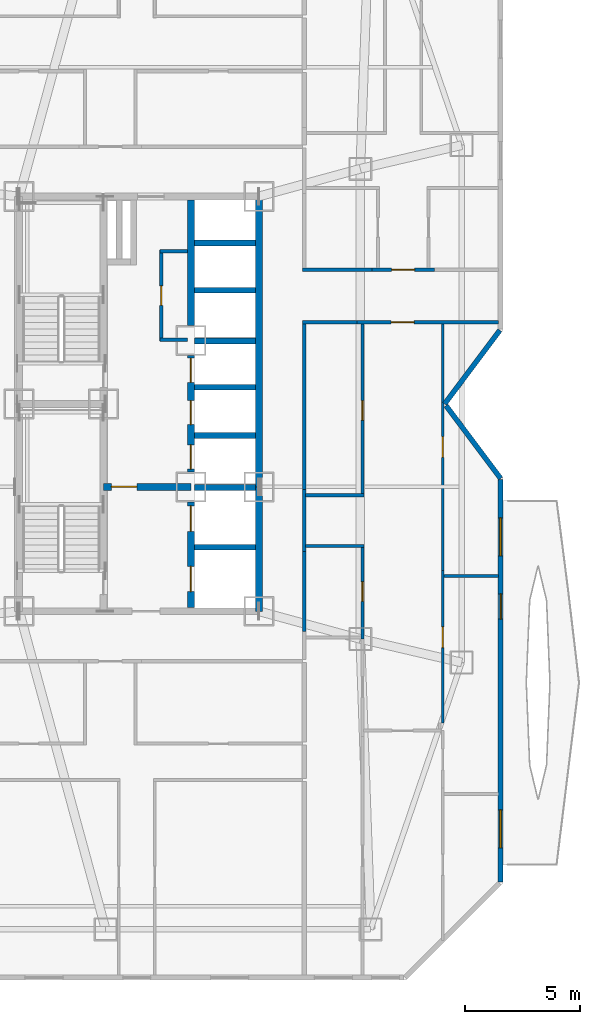
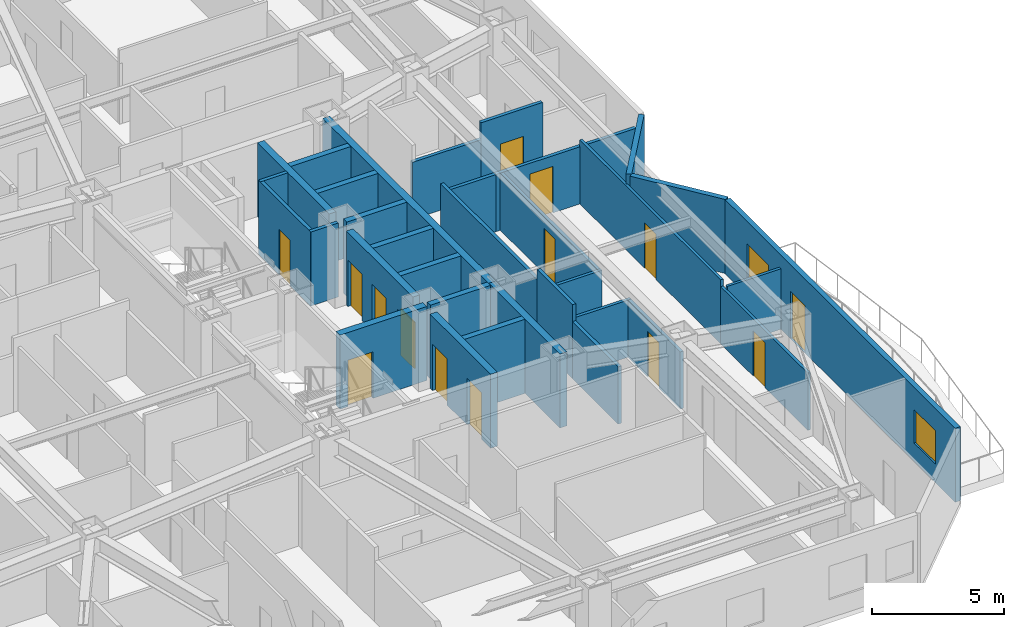
# One storey, part 11 of 16: 33 walls, 14 doors, 2 windows, 16 openings.
"""IFC4 building model written with IfcOpenShell, lengths in metres."""

from ifc_helpers import new_model, si_unit, direction, frame, frame_2d, origin, place, context, subcontext, project, spatial, rectangle, extrude, material, layer, layer_set, type_object, element, fill, save


model = new_model("IFC4")

# Units and contexts
model_context = context("Model", 3, precision=1e-05, world=origin(), true_north=direction((0.0, 1.0)))
body_context = subcontext(model_context, "Body", "Model", "MODEL_VIEW")
ifc_project = project(units=[si_unit("LENGTHUNIT", "METRE"), si_unit("AREAUNIT", "SQUARE_METRE"), si_unit("VOLUMEUNIT", "CUBIC_METRE"), si_unit("PLANEANGLEUNIT", "RADIAN"), si_unit("MASSUNIT", "GRAM", prefix="KILO")], contexts=[model_context])

# Site, building, storey
site_placement = place(None, origin())
site = spatial("IfcSite", under=ifc_project, at=site_placement, CompositionType="ELEMENT")
building_placement = place(site_placement, origin())
building = spatial("IfcBuilding", under=site, at=building_placement, Name="Khamvora Tower", CompositionType="ELEMENT")
storey_placement = place(building_placement, frame((0.0, 0.0, 77.10009765625)))
storey = spatial("IfcBuildingStorey", under=building, at=storey_placement, Name="L19", CompositionType="ELEMENT", Elevation=77.10009765625)

# Walls
ifc_material_1 = material(Name="Concrete C50/60", Category="concrete")
ifc_layer_1 = layer(ifc_material_1, 0.300048828125)
ifc_layer_set_1 = layer_set([ifc_layer_1], Name="Concrete C50/60")
wall_type_1 = type_object("IfcWallType", Name="WAL-CORE-300", PredefinedType="SHEAR", material=ifc_layer_set_1)
wall_1_placement = place(storey_placement, frame((39.39990234375, 19.0, 0.0), z_axis=(0.0, 0.0, 1.0), x_axis=(0.0, 1.0, 0.0)))
element("IfcWall", 1, at=wall_1_placement, inside=storey, type_object=wall_type_1, Name="L19 central core east south wall", PredefinedType="SHEAR", context=body_context, shape_type="SweptSolid", body=[
    extrude(rectangle(XDim=5.39990234375, YDim=0.300048828125, at=frame_2d((2.699951171875, 0.0))), origin(), (0.0, 0.0, 1.0), 3.429931640625),
])
wall_2_placement = place(storey_placement, frame((39.39990234375, 24.39990234375, 0.0), z_axis=(0.0, 0.0, 1.0), x_axis=(0.0, 1.0, 0.0)))
element("IfcWall", 2, at=wall_2_placement, inside=storey, type_object=wall_type_1, Name="L19 central core east north wall", PredefinedType="SHEAR", context=body_context, shape_type="SweptSolid", body=[
    extrude(rectangle(XDim=12.60009765625, YDim=0.300048828125, at=frame_2d((6.300048828125, 0.0))), origin(), (0.0, 0.0, 1.0), 3.429931640625),
])

# Wall, opening, door
wall_3_placement = place(storey_placement, frame((32.64990234375, 24.39990234375, 0.0), z_axis=(0.0, 0.0, 1.0), x_axis=(1.0, 0.0, 0.0)))
wall_3 = element("IfcWall", 3, at=wall_3_placement, inside=storey, type_object=wall_type_1, Name="L19 central core firefighting lobby north wall", PredefinedType="SHEAR", context=body_context, shape_type="SweptSolid", body=[
    extrude(rectangle(XDim=3.800048828125, YDim=0.300048828125, at=frame_2d((1.89990234375, 0.0))), origin(), (0.0, 0.0, 1.0), 3.429931640625),
])
opening_1_placement = place(wall_3_placement, frame((0.35009765625, 0.0, 0.0)))
opening_1 = element("IfcOpeningElement", 4, at=opening_1_placement, cuts=wall_3, Name="Opening D-FF1", PredefinedType="OPENING", context=body_context, shape_type="SweptSolid", body=[
    extrude(rectangle(XDim=1.10009765625, YDim=2.14990234375, at=frame_2d((0.550048828125, 1.074951171875))), frame((0.0, 0.159912109375, 0.0), z_axis=(0.0, -1.0, 0.0), x_axis=(1.0, 0.0, 0.0)), (0.0, 0.0, 1.0), 0.320068359375),
])
ifc_material_2 = material(Name="Powder-Coated Steel and Hardwood Leaf", Category="steel")
door_type_1 = type_object("IfcDoorType", Name="DOR-FFLOB-1100", OperationType="NOTDEFINED", PredefinedType="DOOR", material=ifc_material_2)
door_1_placement = place(opening_1_placement, origin())
door_1 = element("IfcDoor", 5, at=door_1_placement, inside=storey, type_object=door_type_1, Name="L19 firefighting lobby smoke-seal fire door", OperationType="SINGLE_SWING_LEFT", OverallHeight=2.14990234375, OverallWidth=1.10009765625, PredefinedType="DOOR", context=body_context, shape_type="SweptSolid", body=[
    extrude(rectangle(XDim=1.10009765625, YDim=2.14990234375, at=frame_2d((0.550048828125, 1.074951171875))), frame((0.0, 0.02490234375, 0.0), z_axis=(0.0, -1.0, 0.0), x_axis=(1.0, 0.0, 0.0)), (0.0, 0.0, 1.0), 0.050048828125),
])
fill(opening_1, door_1)

# Wall, openings, doors
wall_4_placement = place(storey_placement, frame((36.449951171875, 19.154052734375, 0.0), z_axis=(0.0, 0.0, 1.0), x_axis=(0.0, 1.0, 0.0)))
wall_4 = element("IfcWall", 6, at=wall_4_placement, inside=storey, type_object=wall_type_1, Name="L19 central core lift bank south wall", PredefinedType="SHEAR", context=body_context, shape_type="SweptSolid", body=[
    extrude(rectangle(XDim=4.595947265625, YDim=0.300048828125, at=frame_2d((2.2978515625, 0.0))), origin(), (0.0, 0.0, 1.0), 3.429931640625),
])
opening_2_placement = place(wall_4_placement, frame((0.696044921875, 0.0, 0.0)))
opening_2 = element("IfcOpeningElement", 7, at=opening_2_placement, cuts=wall_4, Name="Opening LD-FFL", PredefinedType="OPENING", context=body_context, shape_type="SweptSolid", body=[
    extrude(rectangle(XDim=1.10009765625, YDim=2.14990234375, at=frame_2d((0.550048828125, 1.074951171875))), frame((0.0, 0.159912109375, 0.0), z_axis=(0.0, -1.0, 0.0), x_axis=(1.0, 0.0, 0.0)), (0.0, 0.0, 1.0), 0.320068359375),
])
opening_3_placement = place(wall_4_placement, frame((3.31591796875, 0.0, 0.0)))
opening_3 = element("IfcOpeningElement", 8, at=opening_3_placement, cuts=wall_4, Name="Opening LD-FFL", PredefinedType="OPENING", context=body_context, shape_type="SweptSolid", body=[
    extrude(rectangle(XDim=1.10009765625, YDim=2.14990234375, at=frame_2d((0.550048828125, 1.074951171875))), frame((0.0, 0.159912109375, 0.0), z_axis=(0.0, -1.0, 0.0), x_axis=(1.0, 0.0, 0.0)), (0.0, 0.0, 1.0), 0.320068359375),
])
door_type_2 = type_object("IfcDoorType", Name="DOR-LIFT-1100", OperationType="SLIDING_TO_LEFT", PredefinedType="DOOR", material=ifc_material_2)
door_2_placement = place(opening_2_placement, origin())
door_2 = element("IfcDoor", 9, at=door_2_placement, inside=storey, type_object=door_type_2, Name="L19 lift landing sliding door FFL-01", OperationType="SLIDING_TO_LEFT", OverallHeight=2.14990234375, OverallWidth=1.10009765625, PredefinedType="DOOR", context=body_context, shape_type="SweptSolid", body=[
    extrude(rectangle(XDim=1.10009765625, YDim=2.14990234375, at=frame_2d((0.550048828125, 1.074951171875))), frame((0.0, 0.02490234375, 0.0), z_axis=(0.0, -1.0, 0.0), x_axis=(1.0, 0.0, 0.0)), (0.0, 0.0, 1.0), 0.050048828125),
])
fill(opening_2, door_2)
door_3_placement = place(opening_3_placement, origin())
door_3 = element("IfcDoor", 10, at=door_3_placement, inside=storey, type_object=door_type_2, Name="L19 lift landing sliding door FFL-02", OperationType="SLIDING_TO_LEFT", OverallHeight=2.14990234375, OverallWidth=1.10009765625, PredefinedType="DOOR", context=body_context, shape_type="SweptSolid", body=[
    extrude(rectangle(XDim=1.10009765625, YDim=2.14990234375, at=frame_2d((0.550048828125, 1.074951171875))), frame((0.0, 0.02490234375, 0.0), z_axis=(0.0, -1.0, 0.0), x_axis=(1.0, 0.0, 0.0)), (0.0, 0.0, 1.0), 0.050048828125),
])
fill(opening_3, door_3)

wall_5_placement = place(storey_placement, frame((36.449951171875, 25.050048828125, 0.0), z_axis=(0.0, 0.0, 1.0), x_axis=(0.0, 1.0, 0.0)))
wall_5 = element("IfcWall", 11, at=wall_5_placement, inside=storey, type_object=wall_type_1, Name="L19 central core lift bank central wall", PredefinedType="SHEAR", context=body_context, shape_type="SweptSolid", body=[
    extrude(rectangle(XDim=5.050048828125, YDim=0.300048828125, at=frame_2d((2.52490234375, 0.0))), origin(), (0.0, 0.0, 1.0), 3.429931640625),
])
opening_4_placement = place(wall_5_placement, frame((0.1201171875, 0.0, 0.0)))
opening_4 = element("IfcOpeningElement", 12, at=opening_4_placement, cuts=wall_5, Name="Opening LD-PL", PredefinedType="OPENING", context=body_context, shape_type="SweptSolid", body=[
    extrude(rectangle(XDim=1.050048828125, YDim=2.14990234375, at=frame_2d((0.52490234375, 1.074951171875))), frame((0.0, 0.159912109375, 0.0), z_axis=(0.0, -1.0, 0.0), x_axis=(1.0, 0.0, 0.0)), (0.0, 0.0, 1.0), 0.320068359375),
])
opening_5_placement = place(wall_5_placement, frame((2.044921875, 0.0, 0.0)))
opening_5 = element("IfcOpeningElement", 13, at=opening_5_placement, cuts=wall_5, Name="Opening LD-PL", PredefinedType="OPENING", context=body_context, shape_type="SweptSolid", body=[
    extrude(rectangle(XDim=1.050048828125, YDim=2.14990234375, at=frame_2d((0.52490234375, 1.074951171875))), frame((0.0, 0.159912109375, 0.0), z_axis=(0.0, -1.0, 0.0), x_axis=(1.0, 0.0, 0.0)), (0.0, 0.0, 1.0), 0.320068359375),
])
opening_6_placement = place(wall_5_placement, frame((3.8798828125, 0.0, 0.0)))
opening_6 = element("IfcOpeningElement", 14, at=opening_6_placement, cuts=wall_5, Name="Opening LD-PL", PredefinedType="OPENING", context=body_context, shape_type="SweptSolid", body=[
    extrude(rectangle(XDim=1.050048828125, YDim=2.14990234375, at=frame_2d((0.52490234375, 1.074951171875))), frame((0.0, 0.159912109375, 0.0), z_axis=(0.0, -1.0, 0.0), x_axis=(1.0, 0.0, 0.0)), (0.0, 0.0, 1.0), 0.320068359375),
])
door_type_3 = type_object("IfcDoorType", Name="DOR-LIFT-1050", OperationType="SLIDING_TO_LEFT", PredefinedType="DOOR", material=ifc_material_2)
door_4_placement = place(opening_4_placement, origin())
door_4 = element("IfcDoor", 15, at=door_4_placement, inside=storey, type_object=door_type_3, Name="L19 lift landing sliding door PL-01", OperationType="SLIDING_TO_LEFT", OverallHeight=2.14990234375, OverallWidth=1.050048828125, PredefinedType="DOOR", context=body_context, shape_type="SweptSolid", body=[
    extrude(rectangle(XDim=1.050048828125, YDim=2.14990234375, at=frame_2d((0.52490234375, 1.074951171875))), frame((0.0, 0.02490234375, 0.0), z_axis=(0.0, -1.0, 0.0), x_axis=(1.0, 0.0, 0.0)), (0.0, 0.0, 1.0), 0.050048828125),
])
fill(opening_4, door_4)
door_5_placement = place(opening_5_placement, origin())
door_5 = element("IfcDoor", 16, at=door_5_placement, inside=storey, type_object=door_type_3, Name="L19 lift landing sliding door PL-02", OperationType="SLIDING_TO_LEFT", OverallHeight=2.14990234375, OverallWidth=1.050048828125, PredefinedType="DOOR", context=body_context, shape_type="SweptSolid", body=[
    extrude(rectangle(XDim=1.050048828125, YDim=2.14990234375, at=frame_2d((0.52490234375, 1.074951171875))), frame((0.0, 0.02490234375, 0.0), z_axis=(0.0, -1.0, 0.0), x_axis=(1.0, 0.0, 0.0)), (0.0, 0.0, 1.0), 0.050048828125),
])
fill(opening_5, door_5)
door_6_placement = place(opening_6_placement, origin())
door_6 = element("IfcDoor", 17, at=door_6_placement, inside=storey, type_object=door_type_3, Name="L19 lift landing sliding door PL-03", OperationType="SLIDING_TO_LEFT", OverallHeight=2.14990234375, OverallWidth=1.050048828125, PredefinedType="DOOR", context=body_context, shape_type="SweptSolid", body=[
    extrude(rectangle(XDim=1.050048828125, YDim=2.14990234375, at=frame_2d((0.52490234375, 1.074951171875))), frame((0.0, 0.02490234375, 0.0), z_axis=(0.0, -1.0, 0.0), x_axis=(1.0, 0.0, 0.0)), (0.0, 0.0, 1.0), 0.050048828125),
])
fill(opening_6, door_6)

# Walls
wall_6_placement = place(storey_placement, frame((36.449951171875, 31.39990234375, 0.0), z_axis=(0.0, 0.0, 1.0), x_axis=(0.0, 1.0, 0.0)))
element("IfcWall", 18, at=wall_6_placement, inside=storey, type_object=wall_type_1, Name="L19 central core lift bank north wall", PredefinedType="SHEAR", context=body_context, shape_type="SweptSolid", body=[
    extrude(rectangle(XDim=5.446044921875, YDim=0.300048828125, at=frame_2d((2.72314453125, 0.0))), origin(), (0.0, 0.0, 1.0), 3.429931640625),
])
ifc_material_3 = material(Name="Fire-Rated Drywall and Steel Stud", Category="steel")
ifc_layer_2 = layer(ifc_material_3, 0.14990234375)
ifc_layer_set_2 = layer_set([ifc_layer_2], Name="Fire-Rated Drywall and Steel Stud")
wall_type_2 = type_object("IfcWallType", Name="WAL-CORR-150", PredefinedType="STANDARD", material=ifc_layer_set_2)
wall_7_placement = place(storey_placement, frame((36.305908203125, 34.614990234375, 0.0), z_axis=(0.0, 0.0, 1.0), x_axis=(-1.0, 0.0, 0.0)))
element("IfcWall", 19, at=wall_7_placement, inside=storey, type_object=wall_type_2, Name="L19 interior partition wall 001", PredefinedType="STANDARD", context=body_context, shape_type="SweptSolid", body=[
    extrude(rectangle(XDim=1.205810546875, YDim=0.14990234375, at=frame_2d((0.60302734375, 0.0))), origin(), (0.0, 0.0, 1.0), 3.429931640625),
])

# Wall, opening, door
wall_8_placement = place(storey_placement, frame((35.1650390625, 34.677978515625, 0.0), z_axis=(0.0, 0.0, 1.0), x_axis=(0.0, -1.0, 0.0)))
wall_8 = element("IfcWall", 20, at=wall_8_placement, inside=storey, type_object=wall_type_2, Name="L19 interior partition wall 002", PredefinedType="STANDARD", context=body_context, shape_type="SweptSolid", body=[
    extrude(rectangle(XDim=3.9580078125, YDim=0.14990234375, at=frame_2d((1.97900390625, 0.0))), origin(), (0.0, 0.0, 1.0), 3.429931640625),
])
opening_7_placement = place(wall_8_placement, frame((1.553955078125, 0.0, 0.0)))
opening_7 = element("IfcOpeningElement", 21, at=opening_7_placement, cuts=wall_8, Name="Opening D-WC1", PredefinedType="OPENING", context=body_context, shape_type="SweptSolid", body=[
    extrude(rectangle(XDim=0.85009765625, YDim=2.10009765625, at=frame_2d((0.425048828125, 1.050048828125))), frame((0.0, 0.0849609375, 0.0), z_axis=(0.0, -1.0, 0.0), x_axis=(1.0, 0.0, 0.0)), (0.0, 0.0, 1.0), 0.169921875),
])
door_type_4 = type_object("IfcDoorType", Name="DOR-WET-850", OperationType="NOTDEFINED", PredefinedType="DOOR", material=ifc_material_2)
door_7_placement = place(opening_7_placement, origin())
door_7 = element("IfcDoor", 22, at=door_7_placement, inside=storey, type_object=door_type_4, Name="L19 interior door PLL-CS1", OperationType="SINGLE_SWING_RIGHT", OverallHeight=2.10009765625, OverallWidth=0.85009765625, PredefinedType="DOOR", context=body_context, shape_type="SweptSolid", body=[
    extrude(rectangle(XDim=0.85009765625, YDim=2.10009765625, at=frame_2d((0.425048828125, 1.050048828125))), frame((0.0, 0.02490234375, 0.0), z_axis=(0.0, -1.0, 0.0), x_axis=(1.0, 0.0, 0.0)), (0.0, 0.0, 1.0), 0.050048828125),
])
fill(opening_7, door_7)

# Wall
wall_9_placement = place(storey_placement, frame((35.10205078125, 30.784912109375, 0.0), z_axis=(0.0, 0.0, 1.0), x_axis=(1.0, 0.0, 0.0)))
element("IfcWall", 23, at=wall_9_placement, inside=storey, type_object=wall_type_2, Name="L19 interior partition wall 003", PredefinedType="STANDARD", context=body_context, shape_type="SweptSolid", body=[
    extrude(rectangle(XDim=1.197998046875, YDim=0.14990234375, at=frame_2d((0.59912109375, 0.0))), origin(), (0.0, 0.0, 1.0), 3.429931640625),
])

# Wall, opening, door
wall_10_placement = place(storey_placement, frame((49.7880859375, 31.534912109375, 0.0), z_axis=(0.0, 0.0, 1.0), x_axis=(-1.0, 0.0, 0.0)))
wall_10 = element("IfcWall", 24, at=wall_10_placement, inside=storey, type_object=wall_type_2, Name="L19 interior partition wall 030", PredefinedType="STANDARD", context=body_context, shape_type="SweptSolid", body=[
    extrude(rectangle(XDim=6.14208984375, YDim=0.14990234375, at=frame_2d((3.071044921875, 0.0))), origin(), (0.0, 0.0, 1.0), 2.64697265625),
])
opening_8_placement = place(wall_10_placement, frame((3.653076171875, 0.0, 0.0)))
opening_8 = element("IfcOpeningElement", 25, at=opening_8_placement, cuts=wall_10, Name="Opening D-U1", PredefinedType="OPENING", context=body_context, shape_type="SweptSolid", body=[
    extrude(rectangle(XDim=1.0, YDim=2.14990234375, at=frame_2d((0.5, 1.074951171875))), frame((0.0, 0.0849609375, 0.0), z_axis=(0.0, -1.0, 0.0), x_axis=(1.0, 0.0, 0.0)), (0.0, 0.0, 1.0), 0.169921875),
])
door_type_5 = type_object("IfcDoorType", Name="DOR-UNIT-1000", OperationType="NOTDEFINED", PredefinedType="DOOR", material=ifc_material_2)
door_8_placement = place(opening_8_placement, origin())
door_8 = element("IfcDoor", 26, at=door_8_placement, inside=storey, type_object=door_type_5, Name="L19 interior door COR-19EAH", OperationType="SINGLE_SWING_LEFT", OverallHeight=2.14990234375, OverallWidth=1.0, PredefinedType="DOOR", context=body_context, shape_type="SweptSolid", body=[
    extrude(rectangle(XDim=1.0, YDim=2.14990234375, at=frame_2d((0.5, 1.074951171875))), frame((0.0, 0.02490234375, 0.0), z_axis=(0.0, -1.0, 0.0), x_axis=(1.0, 0.0, 0.0)), (0.0, 0.0, 1.0), 0.050048828125),
])
fill(opening_8, door_8)

# Walls
wall_11_placement = place(storey_placement, frame((41.364990234375, 24.282958984375, 0.0), z_axis=(0.0, 0.0, 1.0), x_axis=(0.0, -1.0, 0.0)))
element("IfcWall", 27, at=wall_11_placement, inside=storey, type_object=wall_type_2, Name="L19 interior partition wall 031", PredefinedType="STANDARD", context=body_context, shape_type="SweptSolid", body=[
    extrude(rectangle(XDim=2.697998046875, YDim=0.14990234375, at=frame_2d((1.34912109375, 0.0))), origin(), (0.0, 0.0, 1.0), 3.429931640625),
])
wall_12_placement = place(storey_placement, frame((41.364990234375, 21.5849609375, 0.0), z_axis=(0.0, 0.0, 1.0), x_axis=(0.0, -1.0, 0.0)))
element("IfcWall", 28, at=wall_12_placement, inside=storey, type_object=wall_type_2, Name="L19 interior partition wall 032", PredefinedType="STANDARD", context=body_context, shape_type="SweptSolid", body=[
    extrude(rectangle(XDim=3.467041015625, YDim=0.14990234375, at=frame_2d((1.7333984375, 0.0))), origin(), (0.0, 0.0, 1.0), 2.64697265625),
])
wall_13_placement = place(storey_placement, frame((43.64599609375, 31.534912109375, 0.0), z_axis=(0.0, 0.0, 1.0), x_axis=(-1.0, 0.0, 0.0)))
element("IfcWall", 29, at=wall_13_placement, inside=storey, type_object=wall_type_2, Name="L19 interior partition wall 033", PredefinedType="STANDARD", context=body_context, shape_type="SweptSolid", body=[
    extrude(rectangle(XDim=2.345947265625, YDim=0.14990234375, at=frame_2d((1.1728515625, 0.0))), origin(), (0.0, 0.0, 1.0), 2.64697265625),
])
wall_14_placement = place(storey_placement, frame((41.364990234375, 31.60009765625, 0.0), z_axis=(0.0, 0.0, 1.0), x_axis=(0.0, -1.0, 0.0)))
element("IfcWall", 30, at=wall_14_placement, inside=storey, type_object=wall_type_2, Name="L19 interior partition wall 034", PredefinedType="STANDARD", context=body_context, shape_type="SweptSolid", body=[
    extrude(rectangle(XDim=7.317138671875, YDim=0.14990234375, at=frame_2d((3.65869140625, 0.0))), origin(), (0.0, 0.0, 1.0), 2.9609375),
])

# Wall, opening, door
wall_15_placement = place(storey_placement, frame((44.31103515625, 33.81494140625, 0.0), z_axis=(0.0, 0.0, 1.0), x_axis=(1.0, 0.0, 0.0)))
wall_15 = element("IfcWall", 31, at=wall_15_placement, inside=storey, type_object=wall_type_2, Name="L19 interior partition wall 036", PredefinedType="STANDARD", context=body_context, shape_type="SweptSolid", body=[
    extrude(rectangle(XDim=2.697998046875, YDim=0.14990234375, at=frame_2d((1.34912109375, 0.0))), origin(), (0.0, 0.0, 1.0), 3.429931640625),
])
opening_9_placement = place(wall_15_placement, frame((0.84912109375, 0.0, 0.0)))
opening_9 = element("IfcOpeningElement", 32, at=opening_9_placement, cuts=wall_15, Name="Opening D-U1", PredefinedType="OPENING", context=body_context, shape_type="SweptSolid", body=[
    extrude(rectangle(XDim=1.0, YDim=2.14990234375, at=frame_2d((0.5, 1.074951171875))), frame((0.0, 0.0849609375, 0.0), z_axis=(0.0, -1.0, 0.0), x_axis=(1.0, 0.0, 0.0)), (0.0, 0.0, 1.0), 0.169921875),
])
door_9_placement = place(opening_9_placement, origin())
door_9 = element("IfcDoor", 33, at=door_9_placement, inside=storey, type_object=door_type_5, Name="L19 interior door COR-19EBH", OperationType="SINGLE_SWING_RIGHT", OverallHeight=2.14990234375, OverallWidth=1.0, PredefinedType="DOOR", context=body_context, shape_type="SweptSolid", body=[
    extrude(rectangle(XDim=1.0, YDim=2.14990234375, at=frame_2d((0.5, 1.074951171875))), frame((0.0, 0.02490234375, 0.0), z_axis=(0.0, -1.0, 0.0), x_axis=(1.0, 0.0, 0.0)), (0.0, 0.0, 1.0), 0.050048828125),
])
fill(opening_9, door_9)

# Walls
wall_16_placement = place(storey_placement, frame((41.300048828125, 33.81494140625, 0.0), z_axis=(0.0, 0.0, 1.0), x_axis=(1.0, 0.0, 0.0)))
element("IfcWall", 34, at=wall_16_placement, inside=storey, type_object=wall_type_2, Name="L19 interior partition wall 038", PredefinedType="STANDARD", context=body_context, shape_type="SweptSolid", body=[
    extrude(rectangle(XDim=3.010986328125, YDim=0.14990234375, at=frame_2d((1.50537109375, 0.0))), origin(), (0.0, 0.0, 1.0), 2.64697265625),
])
ifc_material_4 = material(Name="Precast concrete C40/50", Category="concrete")
ifc_layer_3 = layer(ifc_material_4, 0.219970703125)
ifc_layer_set_3 = layer_set([ifc_layer_3], Name="Precast concrete C40/50")
wall_type_3 = type_object("IfcWallType", Name="WAL-EXT-220", PredefinedType="STANDARD", material=ifc_layer_set_3)
wall_17_placement = place(storey_placement, frame((49.85595703125, 31.19091796875, 0.0), z_axis=(0.0, 0.0, 1.0), x_axis=(-0.600137081448, -0.799897170561, 0.0)))
element("IfcWall", 35, at=wall_17_placement, inside=storey, type_object=wall_type_3, Name="L19 exterior facade wall 10.1", PredefinedType="STANDARD", context=body_context, shape_type="SweptSolid", body=[
    extrude(rectangle(XDim=3.9892578125, YDim=0.219970703125, at=frame_2d((1.99462890625, 0.0))), origin(), (0.0, 0.0, 1.0), 3.429931640625),
])
wall_18_placement = place(storey_placement, frame((47.51904296875, 27.923095703125, 0.0), z_axis=(0.0, 0.0, 1.0), x_axis=(0.600118645218, -0.799911002338, 0.0)))
element("IfcWall", 36, at=wall_18_placement, inside=storey, type_object=wall_type_3, Name="L19 exterior facade wall 11.1", PredefinedType="STANDARD", context=body_context, shape_type="SweptSolid", body=[
    extrude(rectangle(XDim=3.95068359375, YDim=0.219970703125, at=frame_2d((1.975341796875, 0.0))), origin(), (0.0, 0.0, 1.0), 3.429931640625),
])

# Wall, openings, door, windows
wall_19_placement = place(storey_placement, frame((49.889892578125, 24.70703125, 0.0), z_axis=(0.0, 0.0, 1.0), x_axis=(0.0, -1.0, 0.0)))
wall_19 = element("IfcWall", 37, at=wall_19_placement, inside=storey, type_object=wall_type_3, Name="L19 exterior facade wall 12.1", PredefinedType="STANDARD", context=body_context, shape_type="SweptSolid", body=[
    extrude(rectangle(XDim=17.4609375, YDim=0.219970703125, at=frame_2d((8.73046875, 0.0))), origin(), (0.0, 0.0, 1.0), 3.429931640625),
])
opening_10_placement = place(wall_19_placement, frame((4.947998046875, 0.0, 0.0)))
opening_10 = element("IfcOpeningElement", 38, at=opening_10_placement, cuts=wall_19, Name="Opening BD-01", PredefinedType="OPENING", context=body_context, shape_type="SweptSolid", body=[
    extrude(rectangle(XDim=1.10009765625, YDim=2.199951171875, at=frame_2d((0.550048828125, 1.10009765625))), frame((0.0, 0.119873046875, 0.0), z_axis=(0.0, -1.0, 0.0), x_axis=(1.0, 0.0, 0.0)), (0.0, 0.0, 1.0), 0.239990234375),
])
opening_11_placement = place(wall_19_placement, frame((14.3291015625, 0.0, 0.85009765625)))
opening_11 = element("IfcOpeningElement", 39, at=opening_11_placement, cuts=wall_19, Name="Opening WN-06", PredefinedType="OPENING", context=body_context, shape_type="SweptSolid", body=[
    extrude(rectangle(XDim=1.64990234375, YDim=1.550048828125, at=frame_2d((0.824951171875, 0.77490234375))), frame((0.0, 0.119873046875, 0.0), z_axis=(0.0, -1.0, 0.0), x_axis=(1.0, 0.0, 0.0)), (0.0, 0.0, 1.0), 0.239990234375),
])
opening_12_placement = place(wall_19_placement, frame((1.656982421875, 0.0, 0.85009765625)))
opening_12 = element("IfcOpeningElement", 40, at=opening_12_placement, cuts=wall_19, Name="Opening WN-06", PredefinedType="OPENING", context=body_context, shape_type="SweptSolid", body=[
    extrude(rectangle(XDim=1.64990234375, YDim=1.550048828125, at=frame_2d((0.824951171875, 0.77490234375))), frame((0.0, 0.119873046875, 0.0), z_axis=(0.0, -1.0, 0.0), x_axis=(1.0, 0.0, 0.0)), (0.0, 0.0, 1.0), 0.239990234375),
])
ifc_material_5 = material(Name="Anodised Aluminium and Laminated Safety Glass", Category="aluminium")
door_type_6 = type_object("IfcDoorType", Name="DOR-BAL-1100", OperationType="NOTDEFINED", PredefinedType="DOOR", material=ifc_material_5)
door_10_placement = place(opening_10_placement, origin())
door_10 = element("IfcDoor", 41, at=door_10_placement, inside=storey, type_object=door_type_6, Name="L19 lens gallery balcony door EL1", OperationType="SLIDING_TO_LEFT", OverallHeight=2.199951171875, OverallWidth=1.10009765625, PredefinedType="DOOR", context=body_context, shape_type="SweptSolid", body=[
    extrude(rectangle(XDim=1.10009765625, YDim=2.199951171875, at=frame_2d((0.550048828125, 1.10009765625))), frame((0.0, 0.02490234375, 0.0), z_axis=(0.0, -1.0, 0.0), x_axis=(1.0, 0.0, 0.0)), (0.0, 0.0, 1.0), 0.050048828125),
])
fill(opening_10, door_10)
ifc_material_6 = material(Name="Low-E Laminated Double Glazing", Category="glass")
window_type = type_object("IfcWindowType", Name="WIN-VIS-1650x1550", PartitioningType="SINGLE_PANEL", PredefinedType="WINDOW", material=ifc_material_6)
window_1_placement = place(opening_11_placement, origin())
window_1 = element("IfcWindow", 42, at=window_1_placement, inside=storey, type_object=window_type, Name="L19 vision window 12.1.01", OverallHeight=1.550048828125, OverallWidth=1.64990234375, PartitioningType="SINGLE_PANEL", PredefinedType="WINDOW", context=body_context, shape_type="SweptSolid", body=[
    extrude(rectangle(XDim=1.64990234375, YDim=1.550048828125, at=frame_2d((0.824951171875, 0.77490234375))), frame((0.0, 0.030029296875, 0.0), z_axis=(0.0, -1.0, 0.0), x_axis=(1.0, 0.0, 0.0)), (0.0, 0.0, 1.0), 0.06005859375),
])
fill(opening_11, window_1)
window_2_placement = place(opening_12_placement, origin())
window_2 = element("IfcWindow", 43, at=window_2_placement, inside=storey, type_object=window_type, Name="L19 vision window 12.1.02", OverallHeight=1.550048828125, OverallWidth=1.64990234375, PartitioningType="SINGLE_PANEL", PredefinedType="WINDOW", context=body_context, shape_type="SweptSolid", body=[
    extrude(rectangle(XDim=1.64990234375, YDim=1.550048828125, at=frame_2d((0.824951171875, 0.77490234375))), frame((0.0, 0.030029296875, 0.0), z_axis=(0.0, -1.0, 0.0), x_axis=(1.0, 0.0, 0.0)), (0.0, 0.0, 1.0), 0.06005859375),
])
fill(opening_12, window_2)

# Wall, opening, door
ifc_material_7 = material(Name="Gypsum Plasterboard Partition", Category="gypsum")
ifc_layer_4 = layer(ifc_material_7, 0.1201171875)
ifc_layer_set_4 = layer_set([ifc_layer_4], Name="Gypsum Plasterboard Partition")
wall_type_4 = type_object("IfcWallType", Name="WAL-PART-120", PredefinedType="PARTITIONING", material=ifc_layer_set_4)
wall_20_placement = place(storey_placement, frame((47.375, 20.777099609375, 0.0), z_axis=(0.0, 0.0, 1.0), x_axis=(0.0, -1.0, 0.0)))
wall_20 = element("IfcWall", 44, at=wall_20_placement, inside=storey, type_object=wall_type_4, Name="L19 interior partition wall 145", PredefinedType="PARTITIONING", context=body_context, shape_type="SweptSolid", body=[
    extrude(rectangle(XDim=6.614990234375, YDim=0.1201171875, at=frame_2d((3.3076171875, 0.0))), origin(), (0.0, 0.0, 1.0), 2.64697265625),
])
opening_13_placement = place(wall_20_placement, frame((2.452880859375, 0.0, 0.0)))
opening_13 = element("IfcOpeningElement", 45, at=opening_13_placement, cuts=wall_20, Name="Opening D-RM1", PredefinedType="OPENING", context=body_context, shape_type="SweptSolid", body=[
    extrude(rectangle(XDim=0.89990234375, YDim=2.10009765625, at=frame_2d((0.449951171875, 1.050048828125))), frame((0.0, 0.070068359375, 0.0), z_axis=(0.0, -1.0, 0.0), x_axis=(1.0, 0.0, 0.0)), (0.0, 0.0, 1.0), 0.14013671875),
])
door_type_7 = type_object("IfcDoorType", Name="DOR-ROOM-900", OperationType="NOTDEFINED", PredefinedType="DOOR", material=ifc_material_2)
door_11_placement = place(opening_13_placement, origin())
door_11 = element("IfcDoor", 46, at=door_11_placement, inside=storey, type_object=door_type_7, Name="L19 interior door 19EAH-19EAR2", OperationType="SINGLE_SWING_LEFT", OverallHeight=2.10009765625, OverallWidth=0.89990234375, PredefinedType="DOOR", context=body_context, shape_type="SweptSolid", body=[
    extrude(rectangle(XDim=0.89990234375, YDim=2.10009765625, at=frame_2d((0.449951171875, 1.050048828125))), frame((0.0, 0.02490234375, 0.0), z_axis=(0.0, -1.0, 0.0), x_axis=(1.0, 0.0, 0.0)), (0.0, 0.0, 1.0), 0.050048828125),
])
fill(opening_13, door_11)

wall_21_placement = place(storey_placement, frame((47.375, 31.469970703125, 0.0), z_axis=(0.0, 0.0, 1.0), x_axis=(0.0, -1.0, 0.0)))
wall_21 = element("IfcWall", 47, at=wall_21_placement, inside=storey, type_object=wall_type_4, Name="L19 interior partition wall 146", PredefinedType="PARTITIONING", context=body_context, shape_type="SweptSolid", body=[
    extrude(rectangle(XDim=10.69287109375, YDim=0.1201171875, at=frame_2d((5.346435546875, 0.0))), origin(), (0.0, 0.0, 1.0), 2.9609375),
])
opening_14_placement = place(wall_21_placement, frame((4.89599609375, 0.0, 0.0)))
opening_14 = element("IfcOpeningElement", 48, at=opening_14_placement, cuts=wall_21, Name="Opening D-RM1", PredefinedType="OPENING", context=body_context, shape_type="SweptSolid", body=[
    extrude(rectangle(XDim=0.89990234375, YDim=2.10009765625, at=frame_2d((0.449951171875, 1.050048828125))), frame((0.0, 0.070068359375, 0.0), z_axis=(0.0, -1.0, 0.0), x_axis=(1.0, 0.0, 0.0)), (0.0, 0.0, 1.0), 0.14013671875),
])
door_12_placement = place(opening_14_placement, origin())
door_12 = element("IfcDoor", 49, at=door_12_placement, inside=storey, type_object=door_type_7, Name="L19 interior door 19EAH-19EAR3", OperationType="SINGLE_SWING_RIGHT", OverallHeight=2.10009765625, OverallWidth=0.89990234375, PredefinedType="DOOR", context=body_context, shape_type="SweptSolid", body=[
    extrude(rectangle(XDim=0.89990234375, YDim=2.10009765625, at=frame_2d((0.449951171875, 1.050048828125))), frame((0.0, 0.02490234375, 0.0), z_axis=(0.0, -1.0, 0.0), x_axis=(1.0, 0.0, 0.0)), (0.0, 0.0, 1.0), 0.050048828125),
])
fill(opening_14, door_12)

# Walls
wall_22_placement = place(storey_placement, frame((47.428955078125, 20.527099609375, 0.0), z_axis=(0.0, 0.0, 1.0), x_axis=(1.0, 0.0, 0.0)))
element("IfcWall", 50, at=wall_22_placement, inside=storey, type_object=wall_type_4, Name="L19 interior partition wall 150", PredefinedType="PARTITIONING", context=body_context, shape_type="SweptSolid", body=[
    extrude(rectangle(XDim=2.359130859375, YDim=0.1201171875, at=frame_2d((1.1796875, 0.0))), origin(), (0.0, 0.0, 1.0), 2.802978515625),
])
ifc_material_8 = material(Name="Concrete C40/50", Category="concrete")
ifc_layer_5 = layer(ifc_material_8, 0.25)
ifc_layer_set_5 = layer_set([ifc_layer_5], Name="Concrete C40/50")
wall_type_5 = type_object("IfcWallType", Name="WAL-PODS-250", PredefinedType="SHEAR", material=ifc_layer_set_5)
for number, where, z_axis, x_axis, name in (
    (51, (36.60400390625, 21.77490234375, 0.0), (0.0, 0.0, 1.0), (1.0, 0.0, 0.0), "L19 lift shaft divider wall FFL-01"),
    (52, (36.60400390625, 24.375, 0.0), (0.0, 0.0, 1.0), (1.0, 0.0, 0.0), "L19 lift shaft divider wall FFL-02"),
    (53, (36.60400390625, 26.625, 0.0), (0.0, 0.0, 1.0), (1.0, 0.0, 0.0), "L19 lift shaft divider wall PL-01"),
    (54, (36.60400390625, 28.72509765625, 0.0), (0.0, 0.0, 1.0), (1.0, 0.0, 0.0), "L19 lift shaft divider wall PL-02"),
    (55, (36.60400390625, 30.72509765625, 0.0), (0.0, 0.0, 1.0), (1.0, 0.0, 0.0), "L19 lift shaft divider wall PL-03"),
    (56, (36.60400390625, 32.925048828125, 0.0), (0.0, 0.0, 1.0), (1.0, 0.0, 0.0), "L19 lift shaft divider wall PH-01"),
    (57, (36.60400390625, 34.97509765625, 0.0), (0.0, 0.0, 1.0), (1.0, 0.0, 0.0), "L19 lift shaft divider wall PH-02"),
):
    element("IfcWall", number, at=place(storey_placement, frame(where, z_axis=z_axis, x_axis=x_axis)), inside=storey, type_object=wall_type_5, Name=name, PredefinedType="SHEAR", context=body_context, shape_type="SweptSolid", body=[
        extrude(rectangle(XDim=2.64208984375, YDim=0.25, at=frame_2d((1.321044921875, 0.0))), origin(), (0.0, 0.0, 1.0), 3.429931640625),
    ])

# Wall, opening, door
ifc_material_9 = material(Name="Moisture-Resistant Plasterboard Partition", Category="gypsum")
ifc_layer_6 = layer(ifc_material_9, 0.135009765625)
ifc_layer_set_6 = layer_set([ifc_layer_6], Name="Moisture-Resistant Plasterboard Partition")
wall_type_6 = type_object("IfcWallType", Name="WAL-WET-135", PredefinedType="PARTITIONING", material=ifc_layer_set_6)
wall_23_placement = place(storey_placement, frame((43.89501953125, 17.803955078125, 0.0), z_axis=(0.0, 0.0, 1.0), x_axis=(0.0, 1.0, 0.0)))
wall_23 = element("IfcWall", 58, at=wall_23_placement, inside=storey, type_object=wall_type_6, Name="L19 interior partition wall 141", PredefinedType="PARTITIONING", context=body_context, shape_type="SweptSolid", body=[
    extrude(rectangle(XDim=4.094970703125, YDim=0.135009765625, at=frame_2d((2.04736328125, 0.0))), origin(), (0.0, 0.0, 1.0), 2.64697265625),
])
opening_15_placement = place(wall_23_placement, frame((1.6220703125, 0.0, 0.0)))
opening_15 = element("IfcOpeningElement", 59, at=opening_15_placement, cuts=wall_23, Name="Opening D-WC1", PredefinedType="OPENING", context=body_context, shape_type="SweptSolid", body=[
    extrude(rectangle(XDim=0.85009765625, YDim=2.10009765625, at=frame_2d((0.425048828125, 1.050048828125))), frame((0.0, 0.077392578125, 0.0), z_axis=(0.0, -1.0, 0.0), x_axis=(1.0, 0.0, 0.0)), (0.0, 0.0, 1.0), 0.155029296875),
])
door_13_placement = place(opening_15_placement, origin())
door_13 = element("IfcDoor", 60, at=door_13_placement, inside=storey, type_object=door_type_4, Name="L19 interior door 19EAH-19EAB", OperationType="SINGLE_SWING_RIGHT", OverallHeight=2.10009765625, OverallWidth=0.85009765625, PredefinedType="DOOR", context=body_context, shape_type="SweptSolid", body=[
    extrude(rectangle(XDim=0.85009765625, YDim=2.10009765625, at=frame_2d((0.425048828125, 1.050048828125))), frame((0.0, 0.02490234375, 0.0), z_axis=(0.0, -1.0, 0.0), x_axis=(1.0, 0.0, 0.0)), (0.0, 0.0, 1.0), 0.050048828125),
])
fill(opening_15, door_13)

# Walls
for number, where, z_axis, x_axis, name in (
    (61, (43.9599609375, 21.833984375, 0.0), (0.0, 0.0, 1.0), (-1.0, 0.0, 0.0), "L19 interior partition wall 142"),
    (62, (41.431884765625, 24.033935546875, 0.0), (0.0, 0.0, 1.0), (1.0, 0.0, 0.0), "L19 interior partition wall 143"),
):
    element("IfcWall", number, at=place(storey_placement, frame(where, z_axis=z_axis, x_axis=x_axis)), inside=storey, type_object=wall_type_6, Name=name, PredefinedType="PARTITIONING", context=body_context, shape_type="SweptSolid", body=[
        extrude(rectangle(XDim=2.528076171875, YDim=0.135009765625, at=frame_2d((1.26416015625, 0.0))), origin(), (0.0, 0.0, 1.0), 2.64697265625),
    ])

# Wall, opening, door
wall_24_placement = place(storey_placement, frame((43.89501953125, 23.968994140625, 0.0), z_axis=(0.0, 0.0, 1.0), x_axis=(0.0, 1.0, 0.0)))
wall_24 = element("IfcWall", 63, at=wall_24_placement, inside=storey, type_object=wall_type_6, Name="L19 interior partition wall 144", PredefinedType="PARTITIONING", context=body_context, shape_type="SweptSolid", body=[
    extrude(rectangle(XDim=7.5009765625, YDim=0.135009765625, at=frame_2d((3.75048828125, 0.0))), origin(), (0.0, 0.0, 1.0), 2.64697265625),
])
opening_16_placement = place(wall_24_placement, frame((3.325927734375, 0.0, 0.0)))
opening_16 = element("IfcOpeningElement", 64, at=opening_16_placement, cuts=wall_24, Name="Opening D-RM2", PredefinedType="OPENING", context=body_context, shape_type="SweptSolid", body=[
    extrude(rectangle(XDim=0.85009765625, YDim=2.10009765625, at=frame_2d((0.425048828125, 1.050048828125))), frame((0.0, 0.077392578125, 0.0), z_axis=(0.0, -1.0, 0.0), x_axis=(1.0, 0.0, 0.0)), (0.0, 0.0, 1.0), 0.155029296875),
])
door_type_8 = type_object("IfcDoorType", Name="DOR-ROOM-850", OperationType="NOTDEFINED", PredefinedType="DOOR", material=ifc_material_2)
door_14_placement = place(opening_16_placement, origin())
door_14 = element("IfcDoor", 65, at=door_14_placement, inside=storey, type_object=door_type_8, Name="L19 interior door 19EAH-19EAK", OperationType="SINGLE_SWING_LEFT", OverallHeight=2.10009765625, OverallWidth=0.85009765625, PredefinedType="DOOR", context=body_context, shape_type="SweptSolid", body=[
    extrude(rectangle(XDim=0.85009765625, YDim=2.10009765625, at=frame_2d((0.425048828125, 1.050048828125))), frame((0.0, 0.02490234375, 0.0), z_axis=(0.0, -1.0, 0.0), x_axis=(1.0, 0.0, 0.0)), (0.0, 0.0, 1.0), 0.050048828125),
])
fill(opening_16, door_14)

save(model, "model.ifc")
